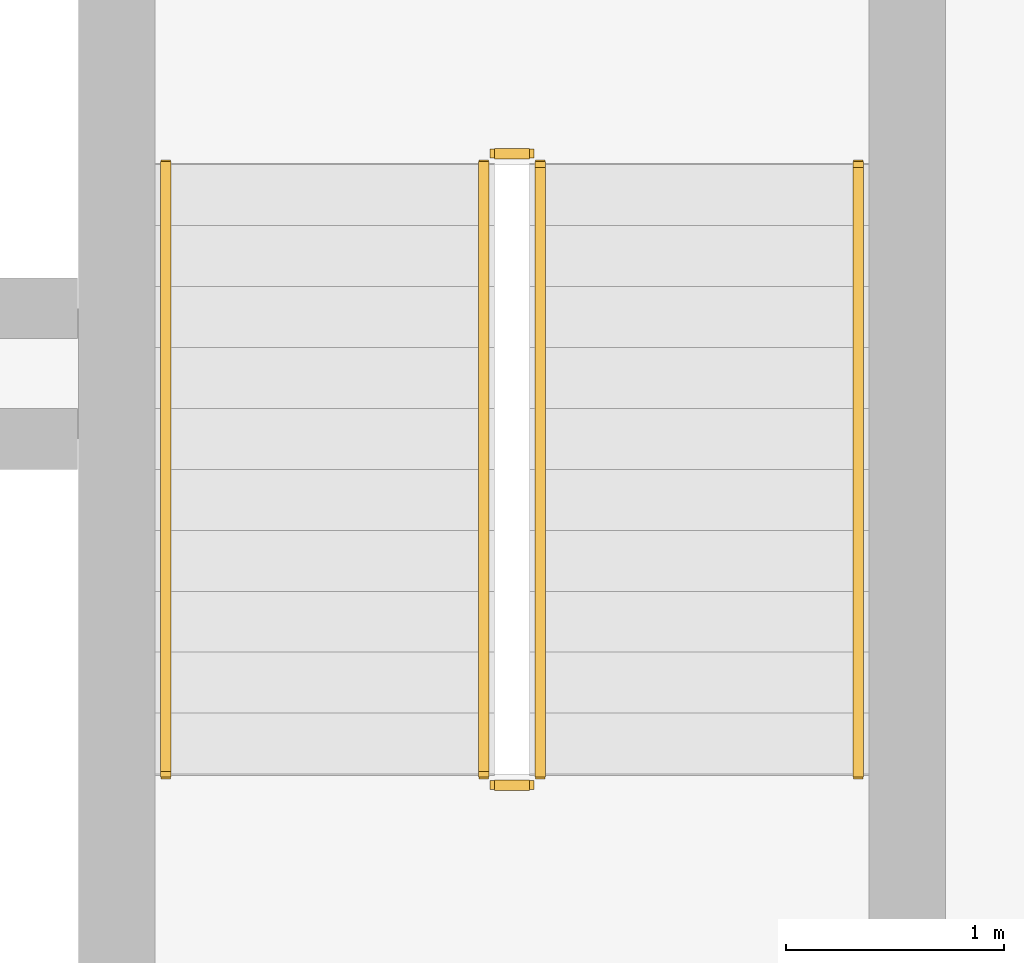
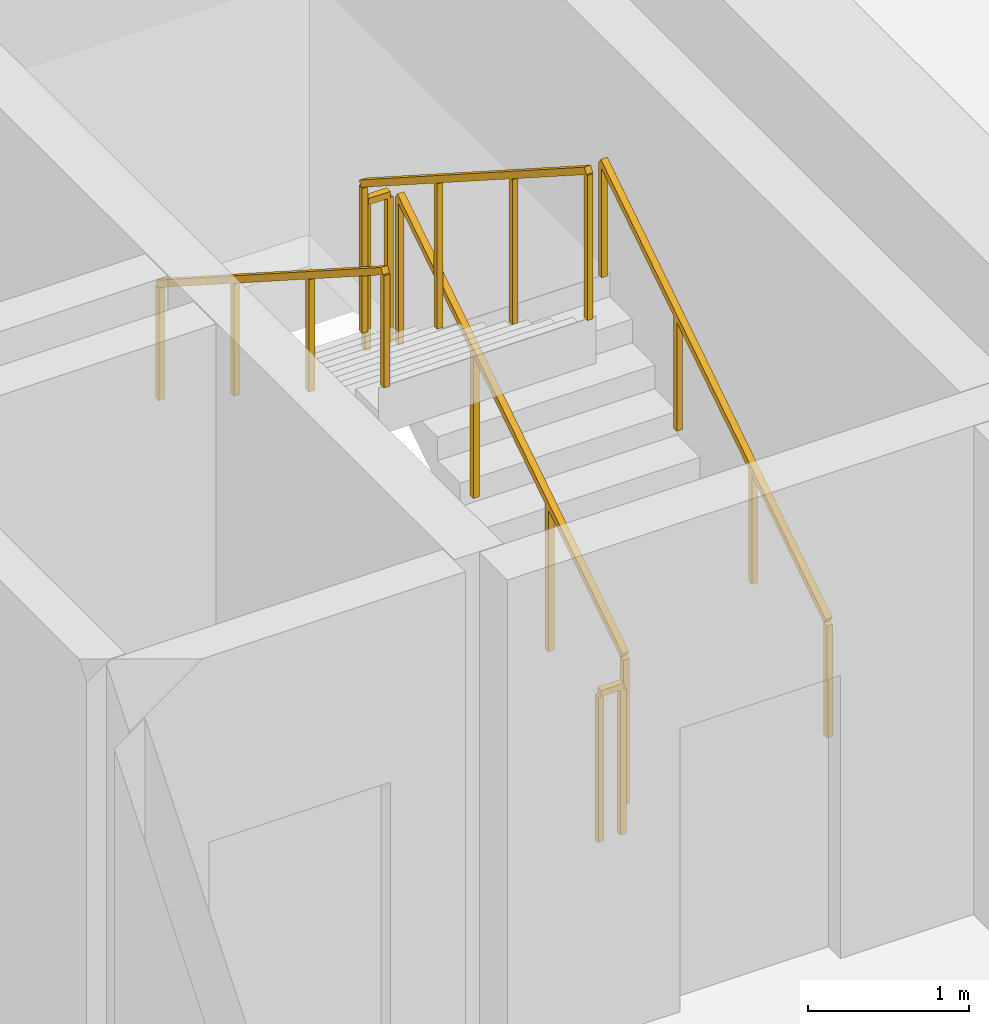
# One storey, part 11 of 11: 6 railings.
"""IFC4 building model written with IfcOpenShell, lengths in metres."""

from ifc_helpers import new_model, si_unit, direction, frame, origin, origin_2d, place, context, subcontext, project, spatial, rectangle, extrude, material, type_object, element, save


model = new_model("IFC4")

# Units and contexts
model_context = context("Model", 3, precision=1e-05, world=origin(), true_north=direction((0.0, 1.0)))
body_context = subcontext(model_context, "Body", "Model", "MODEL_VIEW")
ifc_project = project(units=[si_unit("LENGTHUNIT", "METRE"), si_unit("AREAUNIT", "SQUARE_METRE"), si_unit("VOLUMEUNIT", "CUBIC_METRE"), si_unit("PLANEANGLEUNIT", "RADIAN"), si_unit("MASSUNIT", "GRAM", prefix="KILO")], contexts=[model_context])

# Site, building, storey
site_placement = place(None, origin())
site = spatial("IfcSite", under=ifc_project, at=site_placement, CompositionType="ELEMENT")
building_placement = place(site_placement, origin())
building = spatial("IfcBuilding", under=site, at=building_placement, Name="Kaelvorn Grand Hotel", CompositionType="ELEMENT")
storey_placement = place(building_placement, frame((0.0, 0.0, 244.949951171875)))
storey = spatial("IfcBuildingStorey", under=building, at=storey_placement, Name="L60", CompositionType="ELEMENT", Elevation=244.949951171875)

# Railings
ifc_material = material(Name="Stainless Steel", Category="steel")
railing_type_1 = type_object("IfcRailingType", Name="RL-HANDRAIL-900", PredefinedType="HANDRAIL", material=ifc_material)
railing_1_placement = place(storey_placement, frame((66.550048828125, 41.760009765625, 0.1796875)))
element("IfcRailing", 1, at=railing_1_placement, inside=storey, type_object=railing_type_1, Name="L60 ST3 stair handrail 1", PredefinedType="HANDRAIL", context=body_context, shape_type="SweptSolid", body=[
    extrude(rectangle(XDim=0.048095703125, YDim=0.048095703125, at=origin_2d()), frame((0.0, 0.0, 0.8759765625), z_axis=(0.0, 0.841809871826, 0.539774156196), x_axis=(-1.0, 0.0, 0.0)), (0.0, 0.0, 1.0), 3.326171875),
    extrude(rectangle(XDim=0.0419921875, YDim=0.0419921875, at=origin_2d()), origin(), (0.0, 0.0, 1.0), 0.851806640625),
    extrude(rectangle(XDim=0.0419921875, YDim=0.0419921875, at=origin_2d()), frame((0.0, 0.933349609375, 0.598388671875)), (0.0, 0.0, 1.0), 0.851806640625),
    extrude(rectangle(XDim=0.0419921875, YDim=0.0419921875, at=origin_2d()), frame((0.0, 1.86669921875, 1.197021484375)), (0.0, 0.0, 1.0), 0.851806640625),
    extrude(rectangle(XDim=0.0419921875, YDim=0.0419921875, at=origin_2d()), frame((0.0, 2.800048828125, 1.79541015625)), (0.0, 0.0, 1.0), 0.851806640625),
])
railing_2_placement = place(storey_placement, frame((63.3701171875, 44.56005859375, 2.154541015625)))
element("IfcRailing", 2, at=railing_2_placement, inside=storey, type_object=railing_type_1, Name="L60 ST3 stair handrail 2", PredefinedType="HANDRAIL", context=body_context, shape_type="SweptSolid", body=[
    extrude(rectangle(XDim=0.048095703125, YDim=0.048095703125, at=origin_2d()), frame((0.0, 0.0, 0.8759765625), z_axis=(0.0, -0.841809871826, 0.539774156196), x_axis=(1.0, 0.0, 0.0)), (0.0, 0.0, 1.0), 3.326171875),
    extrude(rectangle(XDim=0.0419921875, YDim=0.0419921875, at=origin_2d()), origin(), (0.0, 0.0, 1.0), 0.851806640625),
    extrude(rectangle(XDim=0.0419921875, YDim=0.0419921875, at=origin_2d()), frame((0.0, -0.933349609375, 0.598388671875)), (0.0, 0.0, 1.0), 0.851806640625),
    extrude(rectangle(XDim=0.0419921875, YDim=0.0419921875, at=origin_2d()), frame((0.0, -1.86669921875, 1.197021484375)), (0.0, 0.0, 1.0), 0.851806640625),
    extrude(rectangle(XDim=0.0419921875, YDim=0.0419921875, at=origin_2d()), frame((0.0, -2.800048828125, 1.79541015625)), (0.0, 0.0, 1.0), 0.851806640625),
])
railing_type_2 = type_object("IfcRailingType", Name="RL-STAIR-GUARD-1150", PredefinedType="BALUSTRADE", material=ifc_material)
railing_3_placement = place(storey_placement, frame((65.090087890625, 41.760009765625, 0.1796875)))
element("IfcRailing", 3, at=railing_3_placement, inside=storey, type_object=railing_type_2, Name="L60 ST3 stair guard 1", PredefinedType="BALUSTRADE", context=body_context, shape_type="SweptSolid", body=[
    extrude(rectangle(XDim=0.048095703125, YDim=0.048095703125, at=origin_2d()), frame((0.0, 0.0, 1.1259765625), z_axis=(0.0, 0.841809871826, 0.539774156196), x_axis=(-1.0, 0.0, 0.0)), (0.0, 0.0, 1.0), 3.326171875),
    extrude(rectangle(XDim=0.0419921875, YDim=0.0419921875, at=origin_2d()), origin(), (0.0, 0.0, 1.0), 1.101806640625),
    extrude(rectangle(XDim=0.0419921875, YDim=0.0419921875, at=origin_2d()), frame((0.0, 0.933349609375, 0.598388671875)), (0.0, 0.0, 1.0), 1.101806640625),
    extrude(rectangle(XDim=0.0419921875, YDim=0.0419921875, at=origin_2d()), frame((0.0, 1.86669921875, 1.197021484375)), (0.0, 0.0, 1.0), 1.101806640625),
    extrude(rectangle(XDim=0.0419921875, YDim=0.0419921875, at=origin_2d()), frame((0.0, 2.800048828125, 1.79541015625)), (0.0, 0.0, 1.0), 1.101806640625),
])
railing_4_placement = place(storey_placement, frame((65.0400390625, 44.610107421875, 1.97509765625)))
element("IfcRailing", 4, at=railing_4_placement, inside=storey, type_object=railing_type_2, Name="L60 ST3 stair guard 2", PredefinedType="BALUSTRADE", context=body_context, shape_type="SweptSolid", body=[
    extrude(rectangle(XDim=0.048095703125, YDim=0.048095703125, at=origin_2d()), frame((0.0, 0.0, 1.1259765625), z_axis=(-1.0, 0.0, 0.0), x_axis=(0.0, -1.0, 0.0)), (0.0, 0.0, 1.0), 0.16015625),
    extrude(rectangle(XDim=0.0419921875, YDim=0.0419921875, at=origin_2d()), origin(), (0.0, 0.0, 1.0), 1.101806640625),
    extrude(rectangle(XDim=0.0419921875, YDim=0.0419921875, at=origin_2d()), frame((-0.16015625, 0.0, 0.0)), (0.0, 0.0, 1.0), 1.101806640625),
])
railing_5_placement = place(storey_placement, frame((64.830078125, 44.56005859375, 2.154541015625)))
element("IfcRailing", 5, at=railing_5_placement, inside=storey, type_object=railing_type_2, Name="L60 ST3 stair guard 3", PredefinedType="BALUSTRADE", context=body_context, shape_type="SweptSolid", body=[
    extrude(rectangle(XDim=0.048095703125, YDim=0.048095703125, at=origin_2d()), frame((0.0, 0.0, 1.1259765625), z_axis=(0.0, -0.841809871826, 0.539774156196), x_axis=(1.0, 0.0, 0.0)), (0.0, 0.0, 1.0), 3.326171875),
    extrude(rectangle(XDim=0.0419921875, YDim=0.0419921875, at=origin_2d()), origin(), (0.0, 0.0, 1.0), 1.101806640625),
    extrude(rectangle(XDim=0.0419921875, YDim=0.0419921875, at=origin_2d()), frame((0.0, -0.933349609375, 0.598388671875)), (0.0, 0.0, 1.0), 1.101806640625),
    extrude(rectangle(XDim=0.0419921875, YDim=0.0419921875, at=origin_2d()), frame((0.0, -1.86669921875, 1.197021484375)), (0.0, 0.0, 1.0), 1.101806640625),
    extrude(rectangle(XDim=0.0419921875, YDim=0.0419921875, at=origin_2d()), frame((0.0, -2.800048828125, 1.79541015625)), (0.0, 0.0, 1.0), 1.101806640625),
])
railing_6_placement = place(storey_placement, frame((65.0400390625, 41.7099609375, 0.0)))
element("IfcRailing", 6, at=railing_6_placement, inside=storey, type_object=railing_type_2, Name="L60 ST3 stair guard 4", PredefinedType="BALUSTRADE", context=body_context, shape_type="SweptSolid", body=[
    extrude(rectangle(XDim=0.048095703125, YDim=0.048095703125, at=origin_2d()), frame((0.0, 0.0, 1.1259765625), z_axis=(-1.0, 0.0, 0.0), x_axis=(0.0, -1.0, 0.0)), (0.0, 0.0, 1.0), 0.16015625),
    extrude(rectangle(XDim=0.0419921875, YDim=0.0419921875, at=origin_2d()), origin(), (0.0, 0.0, 1.0), 1.101806640625),
    extrude(rectangle(XDim=0.0419921875, YDim=0.0419921875, at=origin_2d()), frame((-0.16015625, 0.0, 0.0)), (0.0, 0.0, 1.0), 1.101806640625),
])

save(model, "model.ifc")
